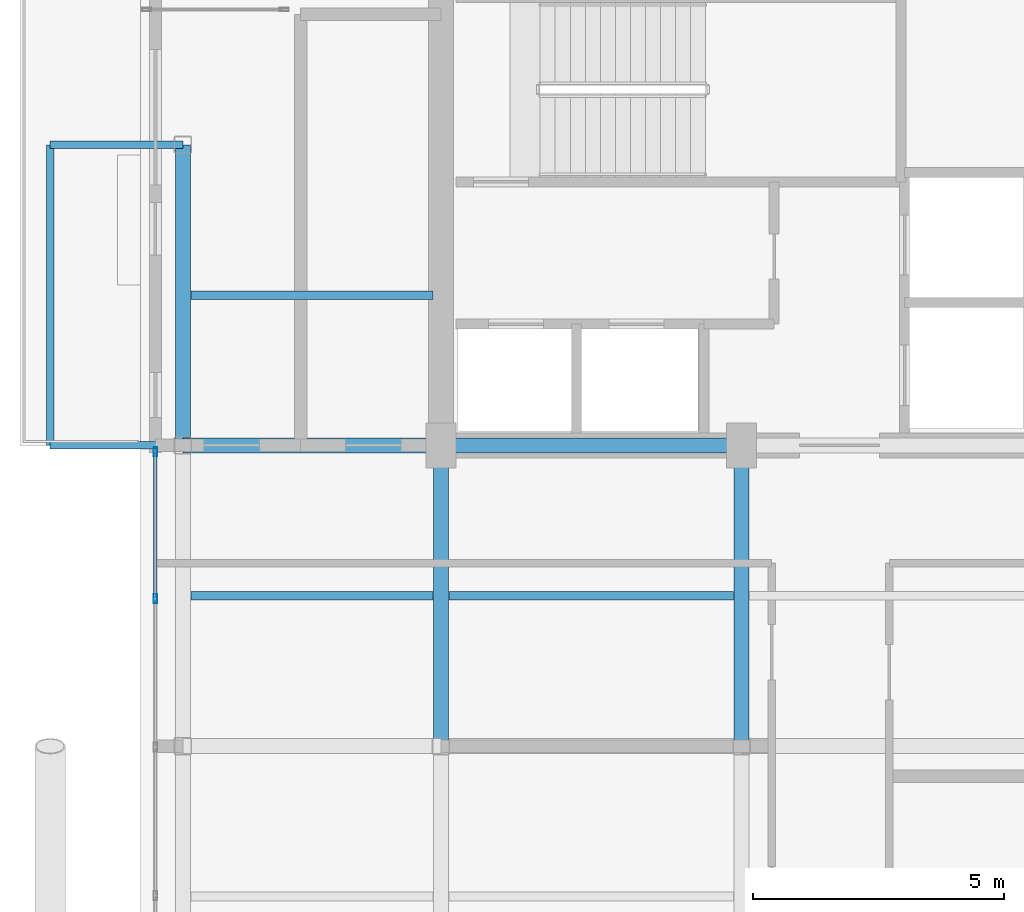
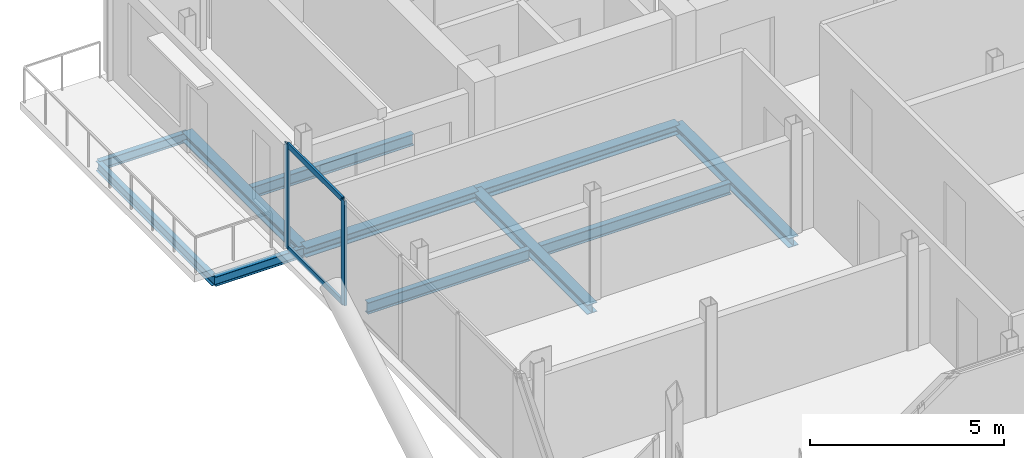
# One storey, part 7 of 19: 11 beams, 4 members, 1 element without a shape of its own.
"""IFC4 building model written with IfcOpenShell, lengths in metres."""

from ifc_helpers import new_model, si_unit, direction, frame, origin, origin_2d, place, context, subcontext, project, spatial, hollow_rectangle, i_section, extrude, material, layer, layer_set, material_profile, profile_set, type_object, element, aggregate, save


model = new_model("IFC4")

# Units and contexts
model_context = context("Model", 3, precision=1e-05, world=origin(), true_north=direction((0.0, 1.0)))
body_context = subcontext(model_context, "Body", "Model", "MODEL_VIEW")
ifc_project = project(units=[si_unit("LENGTHUNIT", "METRE"), si_unit("AREAUNIT", "SQUARE_METRE"), si_unit("VOLUMEUNIT", "CUBIC_METRE"), si_unit("PLANEANGLEUNIT", "RADIAN"), si_unit("MASSUNIT", "GRAM", prefix="KILO"), si_unit("THERMODYNAMICTEMPERATUREUNIT", "KELVIN"), si_unit("POWERUNIT", "WATT")], contexts=[model_context])

# Site, building, storey
site_placement = place(None, origin())
site = spatial("IfcSite", under=ifc_project, at=site_placement, CompositionType="ELEMENT")
building_placement = place(site_placement, origin())
building = spatial("IfcBuilding", under=site, at=building_placement, Name="Svarakhadi Broadcast Tower", CompositionType="ELEMENT")
storey_placement = place(building_placement, frame((0.0, 0.0, 285.199951171875)))
storey = spatial("IfcBuildingStorey", under=building, at=storey_placement, Name="L72", CompositionType="ELEMENT", Elevation=285.199951171875)

# Beams
ifc_material_1 = material(Name="Steel S355J2 (IS 2062 E350C)", Category="steel")
ifc_material_profile_1 = material_profile(ifc_material_1, i_section(OverallWidth=0.169921875, OverallDepth=0.360107421875, WebThickness=0.008056640625, FlangeThickness=0.0126953125, FilletRadius=0.01806640625, at=origin_2d()), Name="NPB 360x170x57")
ifc_profile_set_1 = profile_set([ifc_material_profile_1], Name="Steel S355J2 (IS 2062 E350C)")
beam_type_1 = type_object("IfcBeamType", Name="Beam_NPB360", PredefinedType="BEAM", material=ifc_profile_set_1)
for number, where, z_axis, x_axis, name in (
    (1, (1.010009765625, 15.0, -0.3798828125), (1.0, 0.0, 0.0), (0.0, 1.0, 0.0), "L72 Secondary Composite Beam SB002"),
    (2, (1.010009765625, 21.0, -0.3798828125), (1.0, 0.0, 0.0), (0.0, 1.0, 0.0), "L72 Secondary Composite Beam SB003"),
):
    element("IfcBeam", number, at=place(storey_placement, frame(where, z_axis=z_axis, x_axis=x_axis)), inside=storey, type_object=beam_type_1, Name=name, PredefinedType="BEAM", context=body_context, shape_type="SweptSolid", body=[
        extrude(i_section(OverallWidth=0.169921875, OverallDepth=0.360107421875, WebThickness=0.008056640625, FlangeThickness=0.0126953125, FilletRadius=0.01806640625, at=origin_2d()), origin(), (0.0, 0.0, 1.0), 4.830078125),
    ])
beam_1_placement = place(storey_placement, frame((6.159912109375, 15.0, -0.3798828125), z_axis=(1.0, 0.0, 0.0), x_axis=(0.0, 1.0, 0.0)))
element("IfcBeam", 3, at=beam_1_placement, inside=storey, type_object=beam_type_1, Name="L72 Secondary Composite Beam SB006", PredefinedType="BEAM", context=body_context, shape_type="SweptSolid", body=[
    extrude(i_section(OverallWidth=0.169921875, OverallDepth=0.360107421875, WebThickness=0.008056640625, FlangeThickness=0.0126953125, FilletRadius=0.01806640625, at=origin_2d()), origin(), (0.0, 0.0, 1.0), 5.68017578125),
])

# Curtain wall, members
ifc_material_2 = material(Name="Anodised Bronze Aluminium AA 6063-T6", Category="aluminium")
ifc_layer = layer(ifc_material_2, 0.179931640625)
ifc_layer_set = layer_set([ifc_layer], Name="Anodised Bronze Aluminium AA 6063-T6")
curtain_wall_type = type_object("IfcCurtainWallType", Name="CW_Sys_05", PredefinedType="NOTDEFINED", material=ifc_layer_set)
curtain_wall_placement = place(storey_placement, origin())
curtain_wall = element("IfcCurtainWall", 4, at=curtain_wall_placement, inside=storey, type_object=curtain_wall_type, Name="L72 West Curtain Wall 02", PredefinedType="NOTDEFINED")
ifc_material_profile_2 = material_profile(ifc_material_2, hollow_rectangle(XDim=0.070068359375, YDim=0.179931640625, WallThickness=0.005615234375, at=origin_2d()), Name="ALU MULLION 180x70x6")
ifc_profile_set_2 = profile_set([ifc_material_profile_2], Name="Anodised Bronze Aluminium AA 6063-T6")
member_type_1 = type_object("IfcMemberType", Name="CW_Sys_05_Mul", PredefinedType="MULLION", material=ifc_profile_set_2)
member_1_placement = place(storey_placement, frame((0.300048828125, 14.946044921875, 0.0), z_axis=(0.0, 0.0, 1.0), x_axis=(-1.0, 0.0, 0.0)))
member_1 = element("IfcMember", 5, at=member_1_placement, type_object=member_type_1, Name="CW-05 mullion 5", PredefinedType="MULLION", context=body_context, shape_type="SweptSolid", body=[
    extrude(hollow_rectangle(XDim=0.070068359375, YDim=0.179931640625, WallThickness=0.005615234375, at=origin_2d()), origin(), (0.0, 0.0, 1.0), 3.300048828125),
])
member_2_placement = place(storey_placement, frame((0.300048828125, 17.875, 0.0), z_axis=(0.0, 0.0, 1.0), x_axis=(-1.0, 0.0, 0.0)))
member_2 = element("IfcMember", 6, at=member_2_placement, type_object=member_type_1, Name="CW-05 mullion 6", PredefinedType="MULLION", context=body_context, shape_type="SweptSolid", body=[
    extrude(hollow_rectangle(XDim=0.070068359375, YDim=0.179931640625, WallThickness=0.005615234375, at=origin_2d()), origin(), (0.0, 0.0, 1.0), 3.300048828125),
])
ifc_material_profile_3 = material_profile(ifc_material_2, hollow_rectangle(XDim=0.06494140625, YDim=0.1650390625, WallThickness=0.0048828125, at=origin_2d()), Name="ALU TRANSOM 165x65x5")
ifc_profile_set_3 = profile_set([ifc_material_profile_3], Name="Anodised Bronze Aluminium AA 6063-T6")
member_type_2 = type_object("IfcMemberType", Name="CW_Sys_05_Trn", PredefinedType="USERDEFINED", material=ifc_profile_set_3)
member_3_placement = place(storey_placement, frame((0.300048828125, 14.98095703125, 0.032470703125), z_axis=(0.0, 1.0, 0.0), x_axis=(-1.0, 0.0, 0.0)))
member_3 = element("IfcMember", 7, at=member_3_placement, type_object=member_type_2, Name="CW-05 transom 5.1", ObjectType="TRANSOM", PredefinedType="USERDEFINED", context=body_context, shape_type="SweptSolid", body=[
    extrude(hollow_rectangle(XDim=0.06494140625, YDim=0.1650390625, WallThickness=0.0048828125, at=origin_2d()), origin(), (0.0, 0.0, 1.0), 2.859130859375),
])
member_4_placement = place(storey_placement, frame((0.300048828125, 14.98095703125, 3.267578125), z_axis=(0.0, 1.0, 0.0), x_axis=(-1.0, 0.0, 0.0)))
member_4 = element("IfcMember", 8, at=member_4_placement, type_object=member_type_2, Name="CW-05 transom 5.2", ObjectType="TRANSOM", PredefinedType="USERDEFINED", context=body_context, shape_type="SweptSolid", body=[
    extrude(hollow_rectangle(XDim=0.06494140625, YDim=0.1650390625, WallThickness=0.0048828125, at=origin_2d()), origin(), (0.0, 0.0, 1.0), 2.859130859375),
])
aggregate(curtain_wall, [member_1, member_2, member_3, member_4])

# Beams
ifc_material_profile_4 = material_profile(ifc_material_1, i_section(OverallWidth=0.300048828125, OverallDepth=0.300048828125, WebThickness=0.010986328125, FlangeThickness=0.01904296875, FilletRadius=0.027099609375, at=origin_2d()), Name="WPB 300x300x117")
ifc_profile_set_4 = profile_set([ifc_material_profile_4], Name="Steel S355J2 (IS 2062 E350C)")
beam_type_2 = type_object("IfcBeamType", Name="Girder_WPB300", PredefinedType="USERDEFINED", material=ifc_profile_set_4)
beam_2_placement = place(storey_placement, frame((0.85009765625, 18.0, -0.349853515625), z_axis=(1.0, 0.0, 0.0), x_axis=(0.0, 1.0, 0.0)))
element("IfcBeam", 9, at=beam_2_placement, inside=storey, type_object=beam_type_2, Name="L72 Primary E-W Girder G017", ObjectType="GIRDER", PredefinedType="USERDEFINED", context=body_context, shape_type="SweptSolid", body=[
    extrude(i_section(OverallWidth=0.300048828125, OverallDepth=0.300048828125, WebThickness=0.010986328125, FlangeThickness=0.01904296875, FilletRadius=0.027099609375, at=origin_2d()), origin(), (0.0, 0.0, 1.0), 5.14990234375),
])
for number, where, z_axis, x_axis, name in (
    (10, (6.0, 18.0, -0.349853515625), (1.0, 0.0, 0.0), (0.0, 1.0, 0.0), "L72 Primary E-W Girder G018"),
    (11, (0.85009765625, 18.0, -0.349853515625), (0.0, 1.0, 0.0), (-1.0, 0.0, 0.0), "L72 Primary N-S Girder G028"),
    (12, (6.0, 12.0, -0.349853515625), (0.0, 1.0, 0.0), (-1.0, 0.0, 0.0), "L72 Primary N-S Girder G031"),
    (13, (12.0, 12.0, -0.349853515625), (0.0, 1.0, 0.0), (-1.0, 0.0, 0.0), "L72 Primary N-S Girder G035"),
):
    element("IfcBeam", number, at=place(storey_placement, frame(where, z_axis=z_axis, x_axis=x_axis)), inside=storey, type_object=beam_type_2, Name=name, ObjectType="GIRDER", PredefinedType="USERDEFINED", context=body_context, shape_type="SweptSolid", body=[
        extrude(i_section(OverallWidth=0.300048828125, OverallDepth=0.300048828125, WebThickness=0.010986328125, FlangeThickness=0.01904296875, FilletRadius=0.027099609375, at=origin_2d()), origin(), (0.0, 0.0, 1.0), 6.0),
    ])
ifc_material_profile_5 = material_profile(ifc_material_1, i_section(OverallWidth=0.14990234375, OverallDepth=0.300048828125, WebThickness=0.007080078125, FlangeThickness=0.0107421875, FilletRadius=0.014892578125, at=origin_2d()), Name="NPB 300x150x37")
ifc_profile_set_5 = profile_set([ifc_material_profile_5], Name="Steel S355J2 (IS 2062 E350C)")
beam_type_3 = type_object("IfcBeamType", Name="Spandrel_NPB300", PredefinedType="SPANDREL", material=ifc_profile_set_5)
for number, where, z_axis, x_axis, name in (
    (14, (0.85009765625, 18.0, -0.375), (-1.0, 0.0, 0.0), (0.0, -1.0, 0.0), "L72 Balcony Cantilever Bracket 2A"),
    (15, (0.85009765625, 24.0, -0.375), (-1.0, 0.0, 0.0), (0.0, -1.0, 0.0), "L72 Balcony Cantilever Bracket 2B"),
):
    element("IfcBeam", number, at=place(storey_placement, frame(where, z_axis=z_axis, x_axis=x_axis)), inside=storey, type_object=beam_type_3, Name=name, PredefinedType="SPANDREL", context=body_context, shape_type="SweptSolid", body=[
        extrude(i_section(OverallWidth=0.14990234375, OverallDepth=0.300048828125, WebThickness=0.007080078125, FlangeThickness=0.0107421875, FilletRadius=0.014892578125, at=origin_2d()), origin(), (0.0, 0.0, 1.0), 2.650146484375),
    ])
beam_3_placement = place(storey_placement, frame((-1.800048828125, 18.0, -0.375), z_axis=(0.0, 1.0, 0.0), x_axis=(-1.0, 0.0, 0.0)))
element("IfcBeam", 16, at=beam_3_placement, inside=storey, type_object=beam_type_3, Name="L72 Balcony Outer Spandrel 2F", PredefinedType="SPANDREL", context=body_context, shape_type="SweptSolid", body=[
    extrude(i_section(OverallWidth=0.14990234375, OverallDepth=0.300048828125, WebThickness=0.007080078125, FlangeThickness=0.0107421875, FilletRadius=0.014892578125, at=origin_2d()), origin(), (0.0, 0.0, 1.0), 6.0),
])

save(model, "model.ifc")
